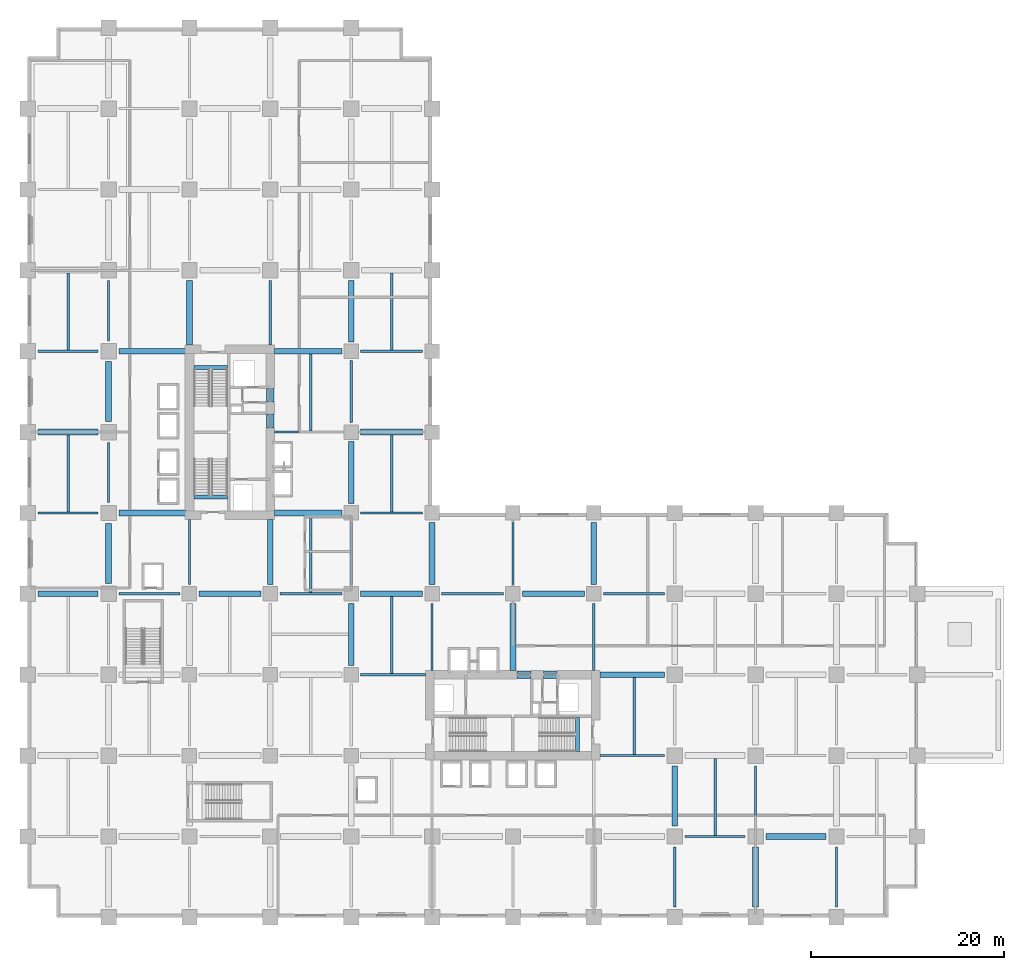
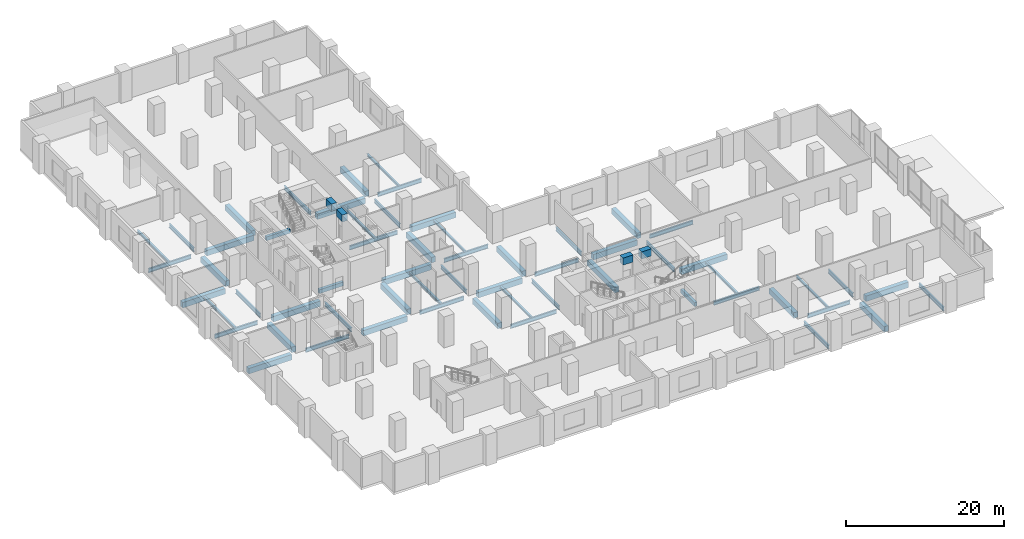
# One storey, part 2 of 22: 64 beams.
"""IFC4 building model written with IfcOpenShell, lengths in metres."""

from ifc_helpers import new_model, si_unit, direction, frame, origin, origin_2d, place, context, subcontext, project, spatial, rectangle, i_section, extrude, material, material_profile, profile_set, type_object, element, save


model = new_model("IFC4")

# Units and contexts
model_context = context("Model", 3, precision=1e-05, world=origin(), true_north=direction((0.0, 1.0)))
body_context = subcontext(model_context, "Body", "Model", "MODEL_VIEW")
ifc_project = project(units=[si_unit("LENGTHUNIT", "METRE"), si_unit("AREAUNIT", "SQUARE_METRE"), si_unit("VOLUMEUNIT", "CUBIC_METRE"), si_unit("PLANEANGLEUNIT", "RADIAN"), si_unit("MASSUNIT", "GRAM", prefix="KILO")], contexts=[model_context])

# Site, building, storey
site_placement = place(None, origin())
site = spatial("IfcSite", under=ifc_project, at=site_placement, CompositionType="ELEMENT")
building_placement = place(site_placement, origin())
building = spatial("IfcBuilding", under=site, at=building_placement, Name="Koriwani Terraces Tower", CompositionType="ELEMENT")
storey_placement = place(building_placement, frame((0.0, 0.0, 6.0)))
storey = spatial("IfcBuildingStorey", under=building, at=storey_placement, Name="L01", CompositionType="ELEMENT", Elevation=6.0)

# Beams
ifc_material_1 = material(Name="Concrete C60/75", Category="concrete")
ifc_material_profile_1 = material_profile(ifc_material_1, rectangle(XDim=0.800048828125, YDim=1.10009765625, at=origin_2d()), Name="Concrete C60/75", Category="LoadBearing")
ifc_profile_set_1 = profile_set([ifc_material_profile_1], Name="Concrete C60/75")
beam_type_1 = type_object("IfcBeamType", Name="BEAM_RC_COUPLING_800X1100", PredefinedType="LINTEL", material=ifc_profile_set_1)
beam_1_placement = place(storey_placement, frame((25.199951171875, 50.800048828125, 3.89990234375), z_axis=(0.0, 1.0, 0.0), x_axis=(-1.0, 0.0, 0.0)))
element("IfcBeam", 1, at=beam_1_placement, inside=storey, type_object=beam_type_1, Name="L01 Core Coupling Lintel Beam WE1", PredefinedType="LINTEL", context=body_context, shape_type="SweptSolid", body=[
    extrude(rectangle(XDim=0.800048828125, YDim=1.10009765625, at=origin_2d()), origin(), (0.0, 0.0, 1.0), 1.47998046875),
])
beam_2_placement = place(storey_placement, frame((25.199951171875, 53.550048828125, 3.89990234375), z_axis=(0.0, 1.0, 0.0), x_axis=(-1.0, 0.0, 0.0)))
element("IfcBeam", 2, at=beam_2_placement, inside=storey, type_object=beam_type_1, Name="L01 Core Coupling Lintel Beam WE2", PredefinedType="LINTEL", context=body_context, shape_type="SweptSolid", body=[
    extrude(rectangle(XDim=0.800048828125, YDim=1.10009765625, at=origin_2d()), origin(), (0.0, 0.0, 1.0), 1.39990234375),
])
beam_3_placement = place(storey_placement, frame((50.800048828125, 25.199951171875, 3.89990234375), z_axis=(1.0, 0.0, 0.0), x_axis=(0.0, 1.0, 0.0)))
element("IfcBeam", 3, at=beam_3_placement, inside=storey, type_object=beam_type_1, Name="L01 Core Coupling Lintel Beam EN1", PredefinedType="LINTEL", context=body_context, shape_type="SweptSolid", body=[
    extrude(rectangle(XDim=0.800048828125, YDim=1.10009765625, at=origin_2d()), origin(), (0.0, 0.0, 1.0), 1.47998046875),
])
beam_4_placement = place(storey_placement, frame((53.550048828125, 25.199951171875, 3.89990234375), z_axis=(1.0, 0.0, 0.0), x_axis=(0.0, 1.0, 0.0)))
element("IfcBeam", 4, at=beam_4_placement, inside=storey, type_object=beam_type_1, Name="L01 Core Coupling Lintel Beam EN2", PredefinedType="LINTEL", context=body_context, shape_type="SweptSolid", body=[
    extrude(rectangle(XDim=0.800048828125, YDim=1.10009765625, at=origin_2d()), origin(), (0.0, 0.0, 1.0), 1.39990234375),
])
ifc_material_2 = material(Name="Concrete C40/50", Category="concrete")
ifc_material_profile_2 = material_profile(ifc_material_2, rectangle(XDim=0.39990234375, YDim=0.60009765625, at=origin_2d()), Name="Concrete C40/50", Category="LoadBearing")
ifc_profile_set_2 = profile_set([ifc_material_profile_2], Name="Concrete C40/50")
beam_type_2 = type_object("IfcBeamType", Name="BEAM_RC_GRID_400X600", PredefinedType="BEAM", material=ifc_profile_set_2)
for number, where, z_axis, x_axis, name in (
    (5, (17.25, 43.655029296875, -0.300048828125), (1.0, 0.0, 0.0), (0.0, 1.0, 0.0), "L01 Stairwell Header Trimmer Beam ST-W1"),
    (6, (17.25, 57.094970703125, -0.300048828125), (1.0, 0.0, 0.0), (0.0, 1.0, 0.0), "L01 Stairwell Header Trimmer Beam ST-W2"),
    (7, (57.094970703125, 17.25, -0.300048828125), (0.0, 1.0, 0.0), (-1.0, 0.0, 0.0), "L01 Stairwell Header Trimmer Beam ST-E2"),
):
    element("IfcBeam", number, at=place(storey_placement, frame(where, z_axis=z_axis, x_axis=x_axis)), inside=storey, type_object=beam_type_2, Name=name, PredefinedType="BEAM", context=body_context, shape_type="SweptSolid", body=[
        extrude(rectangle(XDim=0.39990234375, YDim=0.60009765625, at=origin_2d()), origin(), (0.0, 0.0, 1.0), 3.5),
    ])
ifc_material_profile_3 = material_profile(ifc_material_1, rectangle(XDim=0.60009765625, YDim=0.85009765625, at=origin_2d()), Name="Concrete C60/75", Category="LoadBearing")
ifc_profile_set_3 = profile_set([ifc_material_profile_3], Name="Concrete C60/75")
beam_type_3 = type_object("IfcBeamType", Name="BEAM_RC_GRID_600X850", PredefinedType="BEAM", material=ifc_profile_set_3)
beam_5_placement = place(storey_placement, frame((76.679931640625, 8.39990234375, -0.77490234375), z_axis=(1.0, 0.0, 0.0), x_axis=(0.0, 1.0, 0.0)))
element("IfcBeam", 8, at=beam_5_placement, inside=storey, type_object=beam_type_3, Name="L01 Grid Beam B (75.6-84.0m)", PredefinedType="BEAM", context=body_context, shape_type="SweptSolid", body=[
    extrude(rectangle(XDim=0.60009765625, YDim=0.85009765625, at=origin_2d()), origin(), (0.0, 0.0, 1.0), 6.239990234375),
])
beam_6_placement = place(storey_placement, frame((59.429931640625, 25.199951171875, -0.77490234375), z_axis=(1.0, 0.0, 0.0), x_axis=(0.0, 1.0, 0.0)))
element("IfcBeam", 9, at=beam_6_placement, inside=storey, type_object=beam_type_3, Name="L01 Grid Beam D (58.8-67.2m)", PredefinedType="BEAM", context=body_context, shape_type="SweptSolid", body=[
    extrude(rectangle(XDim=0.60009765625, YDim=0.85009765625, at=origin_2d()), origin(), (0.0, 0.0, 1.0), 6.690185546875),
])
beam_7_placement = place(storey_placement, frame((1.080078125, 33.60009765625, -0.77490234375), z_axis=(1.0, 0.0, 0.0), x_axis=(0.0, 1.0, 0.0)))
element("IfcBeam", 10, at=beam_7_placement, inside=storey, type_object=beam_type_3, Name="L01 Grid Beam E (0.0-8.4m)", PredefinedType="BEAM", context=body_context, shape_type="SweptSolid", body=[
    extrude(rectangle(XDim=0.60009765625, YDim=0.85009765625, at=origin_2d()), origin(), (0.0, 0.0, 1.0), 6.239990234375),
])
for number, where, z_axis, x_axis, name in (
    (11, (17.780029296875, 33.60009765625, -0.77490234375), (1.0, 0.0, 0.0), (0.0, 1.0, 0.0), "L01 Grid Beam E (16.8-25.2m)"),
    (12, (34.580078125, 33.60009765625, -0.77490234375), (1.0, 0.0, 0.0), (0.0, 1.0, 0.0), "L01 Grid Beam E (33.6-42.0m)"),
):
    element("IfcBeam", number, at=place(storey_placement, frame(where, z_axis=z_axis, x_axis=x_axis)), inside=storey, type_object=beam_type_3, Name=name, PredefinedType="BEAM", context=body_context, shape_type="SweptSolid", body=[
        extrude(rectangle(XDim=0.60009765625, YDim=0.85009765625, at=origin_2d()), origin(), (0.0, 0.0, 1.0), 6.43994140625),
    ])
beam_8_placement = place(storey_placement, frame((51.3798828125, 33.60009765625, -0.77490234375), z_axis=(1.0, 0.0, 0.0), x_axis=(0.0, 1.0, 0.0)))
element("IfcBeam", 13, at=beam_8_placement, inside=storey, type_object=beam_type_3, Name="L01 Grid Beam E (50.4-58.8m)", PredefinedType="BEAM", context=body_context, shape_type="SweptSolid", body=[
    extrude(rectangle(XDim=0.60009765625, YDim=0.85009765625, at=origin_2d()), origin(), (0.0, 0.0, 1.0), 6.440185546875),
])
beam_9_placement = place(storey_placement, frame((9.47998046875, 42.0, -0.77490234375), z_axis=(1.0, 0.0, 0.0), x_axis=(0.0, 1.0, 0.0)))
element("IfcBeam", 14, at=beam_9_placement, inside=storey, type_object=beam_type_3, Name="L01 Grid Beam F (8.4-16.8m)", PredefinedType="BEAM", context=body_context, shape_type="SweptSolid", body=[
    extrude(rectangle(XDim=0.60009765625, YDim=0.85009765625, at=origin_2d()), origin(), (0.0, 0.0, 1.0), 6.89013671875),
])
beam_10_placement = place(storey_placement, frame((25.6298828125, 42.0, -0.77490234375), z_axis=(1.0, 0.0, 0.0), x_axis=(0.0, 1.0, 0.0)))
element("IfcBeam", 15, at=beam_10_placement, inside=storey, type_object=beam_type_3, Name="L01 Grid Beam F (25.2-33.6m)", PredefinedType="BEAM", context=body_context, shape_type="SweptSolid", body=[
    extrude(rectangle(XDim=0.60009765625, YDim=0.85009765625, at=origin_2d()), origin(), (0.0, 0.0, 1.0), 6.990234375),
])
beam_11_placement = place(storey_placement, frame((1.080078125, 50.39990234375, -0.77490234375), z_axis=(1.0, 0.0, 0.0), x_axis=(0.0, 1.0, 0.0)))
element("IfcBeam", 16, at=beam_11_placement, inside=storey, type_object=beam_type_3, Name="L01 Grid Beam G (0.0-8.4m)", PredefinedType="BEAM", context=body_context, shape_type="SweptSolid", body=[
    extrude(rectangle(XDim=0.60009765625, YDim=0.85009765625, at=origin_2d()), origin(), (0.0, 0.0, 1.0), 6.239990234375),
])
beam_12_placement = place(storey_placement, frame((34.580078125, 50.39990234375, -0.77490234375), z_axis=(1.0, 0.0, 0.0), x_axis=(0.0, 1.0, 0.0)))
element("IfcBeam", 17, at=beam_12_placement, inside=storey, type_object=beam_type_3, Name="L01 Grid Beam G (33.6-42.0m)", PredefinedType="BEAM", context=body_context, shape_type="SweptSolid", body=[
    extrude(rectangle(XDim=0.60009765625, YDim=0.85009765625, at=origin_2d()), origin(), (0.0, 0.0, 1.0), 6.43994140625),
])
beam_13_placement = place(storey_placement, frame((9.47998046875, 58.800048828125, -0.77490234375), z_axis=(1.0, 0.0, 0.0), x_axis=(0.0, 1.0, 0.0)))
element("IfcBeam", 18, at=beam_13_placement, inside=storey, type_object=beam_type_3, Name="L01 Grid Beam H (8.4-16.8m)", PredefinedType="BEAM", context=body_context, shape_type="SweptSolid", body=[
    extrude(rectangle(XDim=0.60009765625, YDim=0.85009765625, at=origin_2d()), origin(), (0.0, 0.0, 1.0), 6.89013671875),
])
beam_14_placement = place(storey_placement, frame((25.6298828125, 58.800048828125, -0.77490234375), z_axis=(1.0, 0.0, 0.0), x_axis=(0.0, 1.0, 0.0)))
element("IfcBeam", 19, at=beam_14_placement, inside=storey, type_object=beam_type_3, Name="L01 Grid Beam H (25.2-33.6m)", PredefinedType="BEAM", context=body_context, shape_type="SweptSolid", body=[
    extrude(rectangle(XDim=0.60009765625, YDim=0.85009765625, at=origin_2d()), origin(), (0.0, 0.0, 1.0), 6.990234375),
])
for number, where, z_axis, x_axis, name in (
    (20, (8.39990234375, 34.679931640625, -0.77490234375), (0.0, 1.0, 0.0), (-1.0, 0.0, 0.0), "L01 Grid Beam 2 (33.6-42.0m)"),
    (21, (8.39990234375, 51.47998046875, -0.77490234375), (0.0, 1.0, 0.0), (-1.0, 0.0, 0.0), "L01 Grid Beam 2 (50.4-58.8m)"),
):
    element("IfcBeam", number, at=place(storey_placement, frame(where, z_axis=z_axis, x_axis=x_axis)), inside=storey, type_object=beam_type_3, Name=name, PredefinedType="BEAM", context=body_context, shape_type="SweptSolid", body=[
        extrude(rectangle(XDim=0.60009765625, YDim=0.85009765625, at=origin_2d()), origin(), (0.0, 0.0, 1.0), 6.239990234375),
    ])
beam_15_placement = place(storey_placement, frame((16.800048828125, 59.429931640625, -0.77490234375), z_axis=(0.0, 1.0, 0.0), x_axis=(-1.0, 0.0, 0.0)))
element("IfcBeam", 22, at=beam_15_placement, inside=storey, type_object=beam_type_3, Name="L01 Grid Beam 3 (58.8-67.2m)", PredefinedType="BEAM", context=body_context, shape_type="SweptSolid", body=[
    extrude(rectangle(XDim=0.60009765625, YDim=0.85009765625, at=origin_2d()), origin(), (0.0, 0.0, 1.0), 6.690185546875),
])
beam_16_placement = place(storey_placement, frame((25.199951171875, 34.580078125, -0.77490234375), z_axis=(0.0, 1.0, 0.0), x_axis=(-1.0, 0.0, 0.0)))
element("IfcBeam", 23, at=beam_16_placement, inside=storey, type_object=beam_type_3, Name="L01 Grid Beam 4 (33.6-42.0m)", PredefinedType="BEAM", context=body_context, shape_type="SweptSolid", body=[
    extrude(rectangle(XDim=0.60009765625, YDim=0.85009765625, at=origin_2d()), origin(), (0.0, 0.0, 1.0), 6.739990234375),
])
beam_17_placement = place(storey_placement, frame((33.60009765625, 26.179931640625, -0.77490234375), z_axis=(0.0, 1.0, 0.0), x_axis=(-1.0, 0.0, 0.0)))
element("IfcBeam", 24, at=beam_17_placement, inside=storey, type_object=beam_type_3, Name="L01 Grid Beam 5 (25.2-33.6m)", PredefinedType="BEAM", context=body_context, shape_type="SweptSolid", body=[
    extrude(rectangle(XDim=0.60009765625, YDim=0.85009765625, at=origin_2d()), origin(), (0.0, 0.0, 1.0), 6.440185546875),
])
beam_18_placement = place(storey_placement, frame((33.60009765625, 42.97998046875, -0.77490234375), z_axis=(0.0, 1.0, 0.0), x_axis=(-1.0, 0.0, 0.0)))
element("IfcBeam", 25, at=beam_18_placement, inside=storey, type_object=beam_type_3, Name="L01 Grid Beam 5 (42.0-50.4m)", PredefinedType="BEAM", context=body_context, shape_type="SweptSolid", body=[
    extrude(rectangle(XDim=0.60009765625, YDim=0.85009765625, at=origin_2d()), origin(), (0.0, 0.0, 1.0), 6.43994140625),
])
beam_19_placement = place(storey_placement, frame((33.60009765625, 59.780029296875, -0.77490234375), z_axis=(0.0, 1.0, 0.0), x_axis=(-1.0, 0.0, 0.0)))
element("IfcBeam", 26, at=beam_19_placement, inside=storey, type_object=beam_type_3, Name="L01 Grid Beam 5 (58.8-67.2m)", PredefinedType="BEAM", context=body_context, shape_type="SweptSolid", body=[
    extrude(rectangle(XDim=0.60009765625, YDim=0.85009765625, at=origin_2d()), origin(), (0.0, 0.0, 1.0), 6.340087890625),
])
beam_20_placement = place(storey_placement, frame((42.0, 34.580078125, -0.77490234375), z_axis=(0.0, 1.0, 0.0), x_axis=(-1.0, 0.0, 0.0)))
element("IfcBeam", 27, at=beam_20_placement, inside=storey, type_object=beam_type_3, Name="L01 Grid Beam 6 (33.6-42.0m)", PredefinedType="BEAM", context=body_context, shape_type="SweptSolid", body=[
    extrude(rectangle(XDim=0.60009765625, YDim=0.85009765625, at=origin_2d()), origin(), (0.0, 0.0, 1.0), 6.43994140625),
])
beam_21_placement = place(storey_placement, frame((50.39990234375, 25.6298828125, -0.77490234375), z_axis=(0.0, 1.0, 0.0), x_axis=(-1.0, 0.0, 0.0)))
element("IfcBeam", 28, at=beam_21_placement, inside=storey, type_object=beam_type_3, Name="L01 Grid Beam 7 (25.2-33.6m)", PredefinedType="BEAM", context=body_context, shape_type="SweptSolid", body=[
    extrude(rectangle(XDim=0.60009765625, YDim=0.85009765625, at=origin_2d()), origin(), (0.0, 0.0, 1.0), 6.990234375),
])
beam_22_placement = place(storey_placement, frame((58.800048828125, 34.580078125, -0.77490234375), z_axis=(0.0, 1.0, 0.0), x_axis=(-1.0, 0.0, 0.0)))
element("IfcBeam", 29, at=beam_22_placement, inside=storey, type_object=beam_type_3, Name="L01 Grid Beam 8 (33.6-42.0m)", PredefinedType="BEAM", context=body_context, shape_type="SweptSolid", body=[
    extrude(rectangle(XDim=0.60009765625, YDim=0.85009765625, at=origin_2d()), origin(), (0.0, 0.0, 1.0), 6.43994140625),
])
for number, where, z_axis, x_axis, name in (
    (30, (67.199951171875, 9.47998046875, -0.77490234375), (0.0, 1.0, 0.0), (-1.0, 0.0, 0.0), "L01 Grid Beam 9 (8.4-16.8m)"),
    (31, (75.60009765625, 1.080078125, -0.77490234375), (0.0, 1.0, 0.0), (-1.0, 0.0, 0.0), "L01 Grid Beam 10 (0.0-8.4m)"),
):
    element("IfcBeam", number, at=place(storey_placement, frame(where, z_axis=z_axis, x_axis=x_axis)), inside=storey, type_object=beam_type_3, Name=name, PredefinedType="BEAM", context=body_context, shape_type="SweptSolid", body=[
        extrude(rectangle(XDim=0.60009765625, YDim=0.85009765625, at=origin_2d()), origin(), (0.0, 0.0, 1.0), 6.239990234375),
    ])
ifc_material_3 = material(Name="Steel ASTM A572 Grade 50", Category="steel")
ifc_material_profile_4 = material_profile(ifc_material_3, i_section(OverallWidth=0.257080078125, OverallDepth=0.363037109375, WebThickness=0.012939453125, FlangeThickness=0.021728515625, at=origin_2d()), Name="Steel ASTM A572 Grade 50", Category="LoadBearing")
ifc_profile_set_4 = profile_set([ifc_material_profile_4], Name="Steel ASTM A572 Grade 50")
beam_type_4 = type_object("IfcBeamType", Name="STEEL_BEAM_W360X122", PredefinedType="JOIST", material=ifc_profile_set_4)
beam_23_placement = place(storey_placement, frame((4.199951171875, 42.1044921875, -0.531494140625), z_axis=(0.0, 1.0, 0.0), x_axis=(-1.0, 0.0, 0.0)))
element("IfcBeam", 32, at=beam_23_placement, inside=storey, type_object=beam_type_4, Name="L01 Secondary Steel Floor Joist X=4.2m", PredefinedType="JOIST", context=body_context, shape_type="SweptSolid", body=[
    extrude(i_section(OverallWidth=0.257080078125, OverallDepth=0.363037109375, WebThickness=0.012939453125, FlangeThickness=0.021728515625, at=origin_2d()), origin(), (0.0, 0.0, 1.0), 8.005615234375),
])
for number, where, z_axis, x_axis, name in (
    (33, (4.199951171875, 58.904541015625, -0.531494140625), (0.0, 1.0, 0.0), (-1.0, 0.0, 0.0), "L01 Secondary Steel Floor Joist X=4.2m"),
    (34, (29.39990234375, 33.70458984375, -0.531494140625), (0.0, 1.0, 0.0), (-1.0, 0.0, 0.0), "L01 Secondary Steel Floor Joist X=29.4m"),
):
    element("IfcBeam", number, at=place(storey_placement, frame(where, z_axis=z_axis, x_axis=x_axis)), inside=storey, type_object=beam_type_4, Name=name, PredefinedType="JOIST", context=body_context, shape_type="SweptSolid", body=[
        extrude(i_section(OverallWidth=0.257080078125, OverallDepth=0.363037109375, WebThickness=0.012939453125, FlangeThickness=0.021728515625, at=origin_2d()), origin(), (0.0, 0.0, 1.0), 8.00537109375),
    ])
for number, where, z_axis, x_axis, name in (
    (35, (29.39990234375, 50.50439453125, -0.531494140625), (0.0, 1.0, 0.0), (-1.0, 0.0, 0.0), "L01 Secondary Steel Floor Joist X=29.4m"),
    (36, (37.800048828125, 25.304443359375, -0.531494140625), (0.0, 1.0, 0.0), (-1.0, 0.0, 0.0), "L01 Secondary Steel Floor Joist X=37.8m"),
    (37, (37.800048828125, 42.1044921875, -0.531494140625), (0.0, 1.0, 0.0), (-1.0, 0.0, 0.0), "L01 Secondary Steel Floor Joist X=37.8m"),
):
    element("IfcBeam", number, at=place(storey_placement, frame(where, z_axis=z_axis, x_axis=x_axis)), inside=storey, type_object=beam_type_4, Name=name, PredefinedType="JOIST", context=body_context, shape_type="SweptSolid", body=[
        extrude(i_section(OverallWidth=0.257080078125, OverallDepth=0.363037109375, WebThickness=0.012939453125, FlangeThickness=0.021728515625, at=origin_2d()), origin(), (0.0, 0.0, 1.0), 8.005615234375),
    ])
for number, where, z_axis, x_axis, name in (
    (38, (37.800048828125, 58.904541015625, -0.531494140625), (0.0, 1.0, 0.0), (-1.0, 0.0, 0.0), "L01 Secondary Steel Floor Joist X=37.8m"),
    (39, (63.0, 16.904541015625, -0.531494140625), (0.0, 1.0, 0.0), (-1.0, 0.0, 0.0), "L01 Secondary Steel Floor Joist X=63.0m"),
):
    element("IfcBeam", number, at=place(storey_placement, frame(where, z_axis=z_axis, x_axis=x_axis)), inside=storey, type_object=beam_type_4, Name=name, PredefinedType="JOIST", context=body_context, shape_type="SweptSolid", body=[
        extrude(i_section(OverallWidth=0.257080078125, OverallDepth=0.363037109375, WebThickness=0.012939453125, FlangeThickness=0.021728515625, at=origin_2d()), origin(), (0.0, 0.0, 1.0), 8.00537109375),
    ])
beam_24_placement = place(storey_placement, frame((71.39990234375, 8.50439453125, -0.531494140625), z_axis=(0.0, 1.0, 0.0), x_axis=(-1.0, 0.0, 0.0)))
element("IfcBeam", 40, at=beam_24_placement, inside=storey, type_object=beam_type_4, Name="L01 Secondary Steel Floor Joist X=71.4m", PredefinedType="JOIST", context=body_context, shape_type="SweptSolid", body=[
    extrude(i_section(OverallWidth=0.257080078125, OverallDepth=0.363037109375, WebThickness=0.012939453125, FlangeThickness=0.021728515625, at=origin_2d()), origin(), (0.0, 0.0, 1.0), 8.005615234375),
])
ifc_material_profile_5 = material_profile(ifc_material_3, i_section(OverallWidth=0.22900390625, OverallDepth=0.611083984375, WebThickness=0.0126953125, FlangeThickness=0.022216796875, at=origin_2d()), Name="Steel ASTM A572 Grade 50", Category="LoadBearing")
ifc_profile_set_5 = profile_set([ifc_material_profile_5], Name="Steel ASTM A572 Grade 50")
beam_type_5 = type_object("IfcBeamType", Name="STEEL_BEAM_W610X155", PredefinedType="BEAM", material=ifc_profile_set_5)
beam_25_placement = place(storey_placement, frame((68.280029296875, 8.39990234375, -0.655517578125), z_axis=(1.0, 0.0, 0.0), x_axis=(0.0, 1.0, 0.0)))
element("IfcBeam", 41, at=beam_25_placement, inside=storey, type_object=beam_type_5, Name="L01 Grid Beam B (67.2-75.6m)", PredefinedType="BEAM", context=body_context, shape_type="SweptSolid", body=[
    extrude(i_section(OverallWidth=0.22900390625, OverallDepth=0.611083984375, WebThickness=0.0126953125, FlangeThickness=0.022216796875, at=origin_2d()), origin(), (0.0, 0.0, 1.0), 6.239990234375),
])
beam_26_placement = place(storey_placement, frame((59.429931640625, 16.800048828125, -0.655517578125), z_axis=(1.0, 0.0, 0.0), x_axis=(0.0, 1.0, 0.0)))
element("IfcBeam", 42, at=beam_26_placement, inside=storey, type_object=beam_type_5, Name="L01 Grid Beam C (58.8-67.2m)", PredefinedType="BEAM", context=body_context, shape_type="SweptSolid", body=[
    extrude(i_section(OverallWidth=0.22900390625, OverallDepth=0.611083984375, WebThickness=0.0126953125, FlangeThickness=0.022216796875, at=origin_2d()), origin(), (0.0, 0.0, 1.0), 6.690185546875),
])
beam_27_placement = place(storey_placement, frame((34.580078125, 25.199951171875, -0.655517578125), z_axis=(1.0, 0.0, 0.0), x_axis=(0.0, 1.0, 0.0)))
element("IfcBeam", 43, at=beam_27_placement, inside=storey, type_object=beam_type_5, Name="L01 Grid Beam D (33.6-42.0m)", PredefinedType="BEAM", context=body_context, shape_type="SweptSolid", body=[
    extrude(i_section(OverallWidth=0.22900390625, OverallDepth=0.611083984375, WebThickness=0.0126953125, FlangeThickness=0.022216796875, at=origin_2d()), origin(), (0.0, 0.0, 1.0), 6.739990234375),
])
beam_28_placement = place(storey_placement, frame((9.47998046875, 33.60009765625, -0.655517578125), z_axis=(1.0, 0.0, 0.0), x_axis=(0.0, 1.0, 0.0)))
element("IfcBeam", 44, at=beam_28_placement, inside=storey, type_object=beam_type_5, Name="L01 Grid Beam E (8.4-16.8m)", PredefinedType="BEAM", context=body_context, shape_type="SweptSolid", body=[
    extrude(i_section(OverallWidth=0.22900390625, OverallDepth=0.611083984375, WebThickness=0.0126953125, FlangeThickness=0.022216796875, at=origin_2d()), origin(), (0.0, 0.0, 1.0), 6.340087890625),
])
beam_29_placement = place(storey_placement, frame((26.179931640625, 33.60009765625, -0.655517578125), z_axis=(1.0, 0.0, 0.0), x_axis=(0.0, 1.0, 0.0)))
element("IfcBeam", 45, at=beam_29_placement, inside=storey, type_object=beam_type_5, Name="L01 Grid Beam E (25.2-33.6m)", PredefinedType="BEAM", context=body_context, shape_type="SweptSolid", body=[
    extrude(i_section(OverallWidth=0.22900390625, OverallDepth=0.611083984375, WebThickness=0.0126953125, FlangeThickness=0.022216796875, at=origin_2d()), origin(), (0.0, 0.0, 1.0), 6.440185546875),
])
beam_30_placement = place(storey_placement, frame((42.97998046875, 33.60009765625, -0.655517578125), z_axis=(1.0, 0.0, 0.0), x_axis=(0.0, 1.0, 0.0)))
element("IfcBeam", 46, at=beam_30_placement, inside=storey, type_object=beam_type_5, Name="L01 Grid Beam E (42.0-50.4m)", PredefinedType="BEAM", context=body_context, shape_type="SweptSolid", body=[
    extrude(i_section(OverallWidth=0.22900390625, OverallDepth=0.611083984375, WebThickness=0.0126953125, FlangeThickness=0.022216796875, at=origin_2d()), origin(), (0.0, 0.0, 1.0), 6.43994140625),
])
beam_31_placement = place(storey_placement, frame((59.780029296875, 33.60009765625, -0.655517578125), z_axis=(1.0, 0.0, 0.0), x_axis=(0.0, 1.0, 0.0)))
element("IfcBeam", 47, at=beam_31_placement, inside=storey, type_object=beam_type_5, Name="L01 Grid Beam E (58.8-67.2m)", PredefinedType="BEAM", context=body_context, shape_type="SweptSolid", body=[
    extrude(i_section(OverallWidth=0.22900390625, OverallDepth=0.611083984375, WebThickness=0.0126953125, FlangeThickness=0.022216796875, at=origin_2d()), origin(), (0.0, 0.0, 1.0), 6.340087890625),
])
beam_32_placement = place(storey_placement, frame((1.080078125, 42.0, -0.655517578125), z_axis=(1.0, 0.0, 0.0), x_axis=(0.0, 1.0, 0.0)))
element("IfcBeam", 48, at=beam_32_placement, inside=storey, type_object=beam_type_5, Name="L01 Grid Beam F (0.0-8.4m)", PredefinedType="BEAM", context=body_context, shape_type="SweptSolid", body=[
    extrude(i_section(OverallWidth=0.22900390625, OverallDepth=0.611083984375, WebThickness=0.0126953125, FlangeThickness=0.022216796875, at=origin_2d()), origin(), (0.0, 0.0, 1.0), 6.239990234375),
])
beam_33_placement = place(storey_placement, frame((34.580078125, 42.0, -0.655517578125), z_axis=(1.0, 0.0, 0.0), x_axis=(0.0, 1.0, 0.0)))
element("IfcBeam", 49, at=beam_33_placement, inside=storey, type_object=beam_type_5, Name="L01 Grid Beam F (33.6-42.0m)", PredefinedType="BEAM", context=body_context, shape_type="SweptSolid", body=[
    extrude(i_section(OverallWidth=0.22900390625, OverallDepth=0.611083984375, WebThickness=0.0126953125, FlangeThickness=0.022216796875, at=origin_2d()), origin(), (0.0, 0.0, 1.0), 6.43994140625),
])
beam_34_placement = place(storey_placement, frame((25.6298828125, 50.39990234375, -0.655517578125), z_axis=(1.0, 0.0, 0.0), x_axis=(0.0, 1.0, 0.0)))
element("IfcBeam", 50, at=beam_34_placement, inside=storey, type_object=beam_type_5, Name="L01 Grid Beam G (25.2-33.6m)", PredefinedType="BEAM", context=body_context, shape_type="SweptSolid", body=[
    extrude(i_section(OverallWidth=0.22900390625, OverallDepth=0.611083984375, WebThickness=0.0126953125, FlangeThickness=0.022216796875, at=origin_2d()), origin(), (0.0, 0.0, 1.0), 6.990234375),
])
beam_35_placement = place(storey_placement, frame((1.080078125, 58.800048828125, -0.655517578125), z_axis=(1.0, 0.0, 0.0), x_axis=(0.0, 1.0, 0.0)))
element("IfcBeam", 51, at=beam_35_placement, inside=storey, type_object=beam_type_5, Name="L01 Grid Beam H (0.0-8.4m)", PredefinedType="BEAM", context=body_context, shape_type="SweptSolid", body=[
    extrude(i_section(OverallWidth=0.22900390625, OverallDepth=0.611083984375, WebThickness=0.0126953125, FlangeThickness=0.022216796875, at=origin_2d()), origin(), (0.0, 0.0, 1.0), 6.239990234375),
])
beam_36_placement = place(storey_placement, frame((34.580078125, 58.800048828125, -0.655517578125), z_axis=(1.0, 0.0, 0.0), x_axis=(0.0, 1.0, 0.0)))
element("IfcBeam", 52, at=beam_36_placement, inside=storey, type_object=beam_type_5, Name="L01 Grid Beam H (33.6-42.0m)", PredefinedType="BEAM", context=body_context, shape_type="SweptSolid", body=[
    extrude(i_section(OverallWidth=0.22900390625, OverallDepth=0.611083984375, WebThickness=0.0126953125, FlangeThickness=0.022216796875, at=origin_2d()), origin(), (0.0, 0.0, 1.0), 6.43994140625),
])
beam_37_placement = place(storey_placement, frame((8.39990234375, 43.080078125, -0.655517578125), z_axis=(0.0, 1.0, 0.0), x_axis=(-1.0, 0.0, 0.0)))
element("IfcBeam", 53, at=beam_37_placement, inside=storey, type_object=beam_type_5, Name="L01 Grid Beam 2 (42.0-50.4m)", PredefinedType="BEAM", context=body_context, shape_type="SweptSolid", body=[
    extrude(i_section(OverallWidth=0.22900390625, OverallDepth=0.611083984375, WebThickness=0.0126953125, FlangeThickness=0.022216796875, at=origin_2d()), origin(), (0.0, 0.0, 1.0), 6.239990234375),
])
beam_38_placement = place(storey_placement, frame((8.39990234375, 59.8798828125, -0.655517578125), z_axis=(0.0, 1.0, 0.0), x_axis=(-1.0, 0.0, 0.0)))
element("IfcBeam", 54, at=beam_38_placement, inside=storey, type_object=beam_type_5, Name="L01 Grid Beam 2 (58.8-67.2m)", PredefinedType="BEAM", context=body_context, shape_type="SweptSolid", body=[
    extrude(i_section(OverallWidth=0.22900390625, OverallDepth=0.611083984375, WebThickness=0.0126953125, FlangeThickness=0.022216796875, at=origin_2d()), origin(), (0.0, 0.0, 1.0), 6.240234375),
])
beam_39_placement = place(storey_placement, frame((16.800048828125, 34.580078125, -0.655517578125), z_axis=(0.0, 1.0, 0.0), x_axis=(-1.0, 0.0, 0.0)))
element("IfcBeam", 55, at=beam_39_placement, inside=storey, type_object=beam_type_5, Name="L01 Grid Beam 3 (33.6-42.0m)", PredefinedType="BEAM", context=body_context, shape_type="SweptSolid", body=[
    extrude(i_section(OverallWidth=0.22900390625, OverallDepth=0.611083984375, WebThickness=0.0126953125, FlangeThickness=0.022216796875, at=origin_2d()), origin(), (0.0, 0.0, 1.0), 6.739990234375),
])
beam_40_placement = place(storey_placement, frame((25.199951171875, 59.429931640625, -0.655517578125), z_axis=(0.0, 1.0, 0.0), x_axis=(-1.0, 0.0, 0.0)))
element("IfcBeam", 56, at=beam_40_placement, inside=storey, type_object=beam_type_5, Name="L01 Grid Beam 4 (58.8-67.2m)", PredefinedType="BEAM", context=body_context, shape_type="SweptSolid", body=[
    extrude(i_section(OverallWidth=0.22900390625, OverallDepth=0.611083984375, WebThickness=0.0126953125, FlangeThickness=0.022216796875, at=origin_2d()), origin(), (0.0, 0.0, 1.0), 6.690185546875),
])
beam_41_placement = place(storey_placement, frame((33.60009765625, 34.580078125, -0.655517578125), z_axis=(0.0, 1.0, 0.0), x_axis=(-1.0, 0.0, 0.0)))
element("IfcBeam", 57, at=beam_41_placement, inside=storey, type_object=beam_type_5, Name="L01 Grid Beam 5 (33.6-42.0m)", PredefinedType="BEAM", context=body_context, shape_type="SweptSolid", body=[
    extrude(i_section(OverallWidth=0.22900390625, OverallDepth=0.611083984375, WebThickness=0.0126953125, FlangeThickness=0.022216796875, at=origin_2d()), origin(), (0.0, 0.0, 1.0), 6.43994140625),
])
beam_42_placement = place(storey_placement, frame((33.60009765625, 51.3798828125, -0.655517578125), z_axis=(0.0, 1.0, 0.0), x_axis=(-1.0, 0.0, 0.0)))
element("IfcBeam", 58, at=beam_42_placement, inside=storey, type_object=beam_type_5, Name="L01 Grid Beam 5 (50.4-58.8m)", PredefinedType="BEAM", context=body_context, shape_type="SweptSolid", body=[
    extrude(i_section(OverallWidth=0.22900390625, OverallDepth=0.611083984375, WebThickness=0.0126953125, FlangeThickness=0.022216796875, at=origin_2d()), origin(), (0.0, 0.0, 1.0), 6.440185546875),
])
beam_43_placement = place(storey_placement, frame((42.0, 25.6298828125, -0.655517578125), z_axis=(0.0, 1.0, 0.0), x_axis=(-1.0, 0.0, 0.0)))
element("IfcBeam", 59, at=beam_43_placement, inside=storey, type_object=beam_type_5, Name="L01 Grid Beam 6 (25.2-33.6m)", PredefinedType="BEAM", context=body_context, shape_type="SweptSolid", body=[
    extrude(i_section(OverallWidth=0.22900390625, OverallDepth=0.611083984375, WebThickness=0.0126953125, FlangeThickness=0.022216796875, at=origin_2d()), origin(), (0.0, 0.0, 1.0), 6.990234375),
])
beam_44_placement = place(storey_placement, frame((50.39990234375, 34.580078125, -0.655517578125), z_axis=(0.0, 1.0, 0.0), x_axis=(-1.0, 0.0, 0.0)))
element("IfcBeam", 60, at=beam_44_placement, inside=storey, type_object=beam_type_5, Name="L01 Grid Beam 7 (33.6-42.0m)", PredefinedType="BEAM", context=body_context, shape_type="SweptSolid", body=[
    extrude(i_section(OverallWidth=0.22900390625, OverallDepth=0.611083984375, WebThickness=0.0126953125, FlangeThickness=0.022216796875, at=origin_2d()), origin(), (0.0, 0.0, 1.0), 6.43994140625),
])
beam_45_placement = place(storey_placement, frame((58.800048828125, 25.6298828125, -0.655517578125), z_axis=(0.0, 1.0, 0.0), x_axis=(-1.0, 0.0, 0.0)))
element("IfcBeam", 61, at=beam_45_placement, inside=storey, type_object=beam_type_5, Name="L01 Grid Beam 8 (25.2-33.6m)", PredefinedType="BEAM", context=body_context, shape_type="SweptSolid", body=[
    extrude(i_section(OverallWidth=0.22900390625, OverallDepth=0.611083984375, WebThickness=0.0126953125, FlangeThickness=0.022216796875, at=origin_2d()), origin(), (0.0, 0.0, 1.0), 6.990234375),
])
for number, where, z_axis, x_axis, name in (
    (62, (67.199951171875, 1.080078125, -0.655517578125), (0.0, 1.0, 0.0), (-1.0, 0.0, 0.0), "L01 Grid Beam 9 (0.0-8.4m)"),
    (63, (75.60009765625, 9.47998046875, -0.655517578125), (0.0, 1.0, 0.0), (-1.0, 0.0, 0.0), "L01 Grid Beam 10 (8.4-16.8m)"),
    (64, (84.0, 1.080078125, -0.655517578125), (0.0, 1.0, 0.0), (-1.0, 0.0, 0.0), "L01 Grid Beam 11 (0.0-8.4m)"),
):
    element("IfcBeam", number, at=place(storey_placement, frame(where, z_axis=z_axis, x_axis=x_axis)), inside=storey, type_object=beam_type_5, Name=name, PredefinedType="BEAM", context=body_context, shape_type="SweptSolid", body=[
        extrude(i_section(OverallWidth=0.22900390625, OverallDepth=0.611083984375, WebThickness=0.0126953125, FlangeThickness=0.022216796875, at=origin_2d()), origin(), (0.0, 0.0, 1.0), 6.239990234375),
    ])

save(model, "model.ifc")
